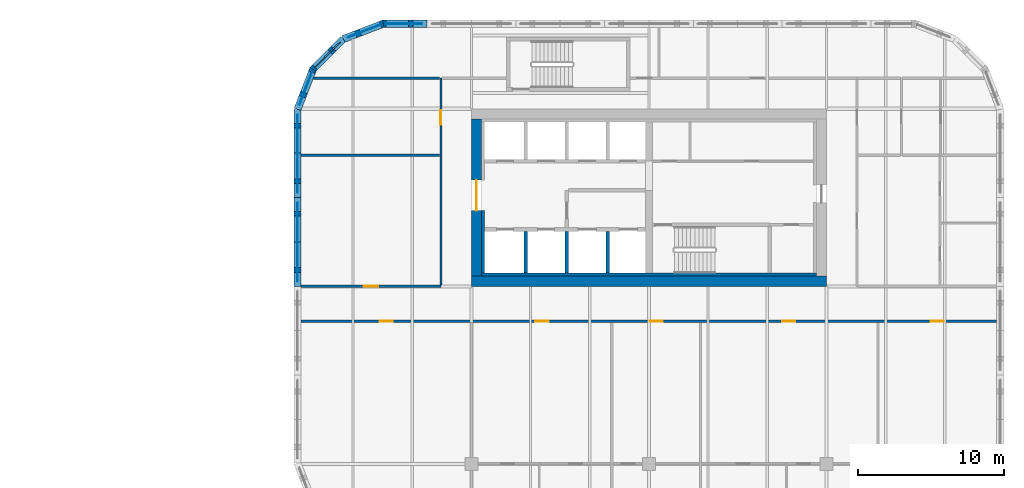
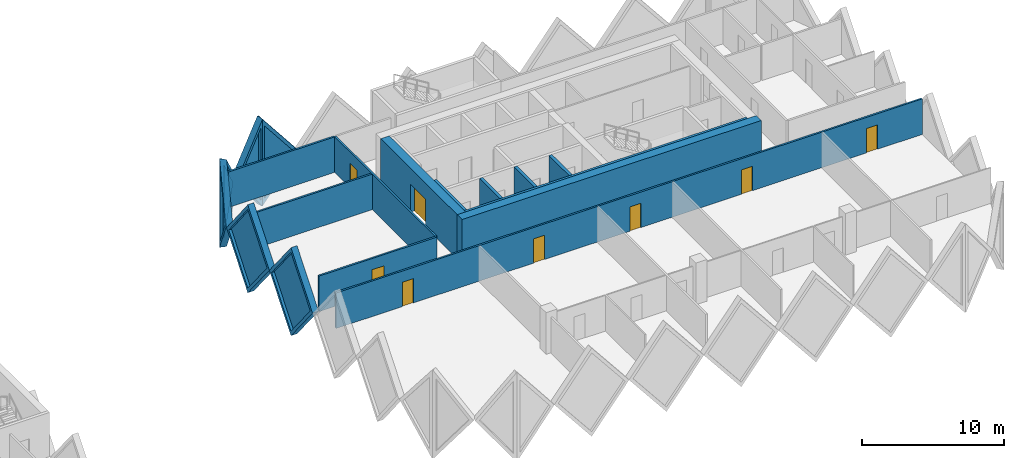
# One storey, part 12 of 18: 18 walls, 8 doors, 6 plates, 14 openings.
"""IFC4 building model written with IfcOpenShell, lengths in metres."""

from ifc_helpers import new_model, si_unit, direction, frame, frame_2d, origin, place, context, subcontext, project, spatial, polyline, rectangle, outline, extrude, faceted_brep, source, transform, mapped, material, layer, layer_set, type_object, element, fill, save


model = new_model("IFC4")

# Units and contexts
model_context = context("Model", 3, precision=1e-05, world=origin(), true_north=direction((0.0, 1.0)))
body_context = subcontext(model_context, "Body", "Model", "MODEL_VIEW")
ifc_project = project(units=[si_unit("LENGTHUNIT", "METRE"), si_unit("AREAUNIT", "SQUARE_METRE"), si_unit("VOLUMEUNIT", "CUBIC_METRE"), si_unit("PLANEANGLEUNIT", "RADIAN"), si_unit("MASSUNIT", "GRAM", prefix="KILO")], contexts=[model_context])

# Site, building, storey
site_placement = place(None, origin())
site = spatial("IfcSite", under=ifc_project, at=site_placement, CompositionType="ELEMENT")
building_placement = place(site_placement, origin())
building = spatial("IfcBuilding", under=site, at=building_placement, Name="Tessera Gate Towers", CompositionType="ELEMENT")
storey_placement = place(building_placement, frame((0.0, 0.0, 56.199951171875)))
storey = spatial("IfcBuildingStorey", under=building, at=storey_placement, Name="L13", CompositionType="ELEMENT", Elevation=56.199951171875)

# Walls
ifc_material_1 = material(Name="Concrete C40/50", Category="concrete")
ifc_layer_1 = layer(ifc_material_1, 0.25)
ifc_layer_set_1 = layer_set([ifc_layer_1], Name="CORE ENCLOSURE WALL 250")
wall_type_1 = type_object("IfcWallType", Name="CORE ENCLOSURE WALL 250", PredefinedType="SOLIDWALL", material=ifc_layer_set_1)
for number, where, z_axis, x_axis, name in (
    (1, (104.14990234375, 37.5, 0.0), (0.0, 0.0, 1.0), (0.0, 1.0, 0.0), "L13 shaft and stair enclosure wall"),
    (2, (101.324951171875, 37.5, 0.0), (0.0, 0.0, 1.0), (0.0, 1.0, 0.0), "L13 shaft and stair enclosure wall"),
    (3, (106.97509765625, 37.5, 0.0), (0.0, 0.0, 1.0), (0.0, 1.0, 0.0), "L13 shaft and stair enclosure wall"),
):
    element("IfcWall", number, at=place(storey_placement, frame(where, z_axis=z_axis, x_axis=x_axis)), inside=storey, type_object=wall_type_1, Name=name, PredefinedType="SOLIDWALL", context=body_context, shape_type="SweptSolid", body=[
        extrude(rectangle(XDim=2.875, YDim=0.25, at=frame_2d((1.4375, 0.0))), origin(), (0.0, 0.0, 1.0), 3.800048828125),
    ])
ifc_material_2 = material(Name="Concrete C60/75", Category="concrete")
ifc_layer_2 = layer(ifc_material_2, 0.699951171875)
ifc_layer_set_2 = layer_set([ifc_layer_2], Name="CORE SHEAR WALL 700 C60/75")
wall_type_2 = type_object("IfcWallType", Name="CORE SHEAR WALL 700 C60/75", PredefinedType="SHEAR", material=ifc_layer_set_2)
wall_1_placement = place(storey_placement, frame((122.0, 36.949951171875, 0.0), z_axis=(0.0, 0.0, 1.0), x_axis=(-1.0, 0.0, 0.0)))
element("IfcWall", 4, at=wall_1_placement, inside=storey, type_object=wall_type_2, Name="Core wall S L13", PredefinedType="SHEAR", context=body_context, shape_type="SweptSolid", body=[
    extrude(rectangle(XDim=24.39990234375, YDim=0.699951171875, at=frame_2d((12.199951171875, 0.0))), origin(), (0.0, 0.0, 1.0), 3.800048828125),
])

# Wall, opening, door
wall_2_placement = place(storey_placement, frame((97.949951171875, 37.300048828125, 0.0), z_axis=(0.0, 0.0, 1.0), x_axis=(0.0, 1.0, 0.0)))
wall_2 = element("IfcWall", 5, at=wall_2_placement, inside=storey, type_object=wall_type_2, Name="Core wall W L13", PredefinedType="SHEAR", context=body_context, shape_type="SweptSolid", body=[
    extrude(rectangle(XDim=10.800048828125, YDim=0.699951171875, at=frame_2d((5.39990234375, 0.0))), origin(), (0.0, 0.0, 1.0), 3.800048828125),
])
shared_shape_1 = source(origin(), body_context, "Body", "SweptSolid", [
    extrude(rectangle(XDim=2.10009765625, YDim=2.39990234375, at=frame_2d((1.050048828125, 1.199951171875))), frame((0.0, 0.35986328125, 0.0), z_axis=(0.0, -1.0, 0.0), x_axis=(1.0, 0.0, 0.0)), (0.0, 0.0, 1.0), 0.719970703125),
])
opening_1_placement = place(wall_2_placement, frame((4.5, 0.0, 0.0)))
opening_1 = element("IfcOpeningElement", 6, at=opening_1_placement, cuts=wall_2, Name="Opening DD-T2-03-01", PredefinedType="OPENING", context=body_context, shape_type="MappedRepresentation", body=[
    mapped(shared_shape_1, transform((0.0, 0.0, 0.0), scale=1.0)),
])
ifc_material_3 = material(Name="Hollow steel fire door", Category="steel")
door_type_1 = type_object("IfcDoorType", Name="CORE DOOR DD 2100x2400", OperationType="NOTDEFINED", PredefinedType="DOOR", material=ifc_material_3)
shared_shape_2 = source(origin(), body_context, "Body", "SweptSolid", [
    extrude(rectangle(XDim=2.10009765625, YDim=2.39990234375, at=frame_2d((1.050048828125, 1.199951171875))), frame((0.0, 0.02490234375, 0.0), z_axis=(0.0, -1.0, 0.0), x_axis=(1.0, 0.0, 0.0)), (0.0, 0.0, 1.0), 0.050048828125),
])
door_1_placement = place(opening_1_placement, origin())
door_1 = element("IfcDoor", 7, at=door_1_placement, inside=storey, type_object=door_type_1, Name="Core entrance door", OperationType="DOUBLE_DOOR_SINGLE_SWING", OverallHeight=2.39990234375, OverallWidth=2.10009765625, PredefinedType="DOOR", context=body_context, shape_type="MappedRepresentation", body=[
    mapped(shared_shape_2, transform((0.0, 0.0, 0.0), scale=1.0)),
])
fill(opening_1, door_1)

# Walls
ifc_material_4 = material(Name="Concrete C60/75", Category="concrete")
ifc_layer_3 = layer(ifc_material_4, 0.199951171875)
ifc_layer_set_3 = layer_set([ifc_layer_3], Name="CORE WALL THICKENING 200")
wall_type_3 = type_object("IfcWallType", Name="CORE WALL THICKENING 200", PredefinedType="SOLIDWALL", material=ifc_layer_set_3)
wall_3_placement = place(storey_placement, frame((98.300048828125, 37.39990234375, 0.0), z_axis=(0.0, 0.0, 1.0), x_axis=(1.0, 0.0, 0.0)))
element("IfcWall", 8, at=wall_3_placement, inside=storey, type_object=wall_type_3, Name="Core wall thickening S L13", PredefinedType="SOLIDWALL", context=body_context, shape_type="SweptSolid", body=[
    extrude(rectangle(XDim=23.0, YDim=0.199951171875, at=frame_2d((11.5, 0.0))), origin(), (0.0, 0.0, 1.0), 3.800048828125),
])
wall_4_placement = place(storey_placement, frame((98.39990234375, 37.5, 0.0), z_axis=(0.0, 0.0, 1.0), x_axis=(0.0, 1.0, 0.0)))
element("IfcWall", 9, at=wall_4_placement, inside=storey, type_object=wall_type_3, Name="Core wall thickening W L13", PredefinedType="SOLIDWALL", context=body_context, shape_type="SweptSolid", body=[
    extrude(rectangle(XDim=4.300048828125, YDim=0.199951171875, at=frame_2d((2.14990234375, 0.0))), origin(), (0.0, 0.0, 1.0), 3.800048828125),
])

# Wall, openings, doors
ifc_material_5 = material(Name="Gypsum board on steel studs, mineral wool", Category="steel")
ifc_layer_4 = layer(ifc_material_5, 0.14990234375)
ifc_layer_set_4 = layer_set([ifc_layer_4], Name="CORRIDOR WALL 150")
wall_type_4 = type_object("IfcWallType", Name="CORRIDOR WALL 150", PredefinedType="PARTITIONING", material=ifc_layer_set_4)
wall_5_placement = place(storey_placement, frame((133.699951171875, 34.199951171875, 0.0), z_axis=(0.0, 0.0, 1.0), x_axis=(-1.0, 0.0, 0.0)))
wall_5 = element("IfcWall", 10, at=wall_5_placement, inside=storey, type_object=wall_type_4, Name="T2-L13-PW-017", PredefinedType="PARTITIONING", context=body_context, shape_type="SweptSolid", body=[
    extrude(rectangle(XDim=47.800048828125, YDim=0.14990234375, at=frame_2d((23.89990234375, 0.0))), origin(), (0.0, 0.0, 1.0), 3.067138671875),
])
shared_shape_3 = source(origin(), body_context, "Body", "SweptSolid", [
    extrude(rectangle(XDim=0.89990234375, YDim=2.10009765625, at=frame_2d((0.449951171875, 1.050048828125))), frame((0.0, 0.0849609375, 0.0), z_axis=(0.0, -1.0, 0.0), x_axis=(1.0, 0.0, 0.0)), (0.0, 0.0, 1.0), 0.169921875),
])
opening_2_placement = place(wall_5_placement, frame((22.948974609375, 0.0, 0.0)))
opening_2 = element("IfcOpeningElement", 11, at=opening_2_placement, cuts=wall_5, Name="Opening D890FD60-B06-01", PredefinedType="OPENING", context=body_context, shape_type="MappedRepresentation", body=[
    mapped(shared_shape_3, transform((0.0, 0.0, 0.0), scale=1.0)),
])
opening_3_placement = place(wall_5_placement, frame((3.64892578125, 0.0, 0.0)))
opening_3 = element("IfcOpeningElement", 12, at=opening_3_placement, cuts=wall_5, Name="Opening D890FD60-B06-02", PredefinedType="OPENING", context=body_context, shape_type="MappedRepresentation", body=[
    mapped(shared_shape_3, transform((0.0, 0.0, 0.0), scale=1.0)),
])
opening_4_placement = place(wall_5_placement, frame((30.799072265625, 0.0, 0.0)))
opening_4 = element("IfcOpeningElement", 13, at=opening_4_placement, cuts=wall_5, Name="Opening D890FD60-B06-03", PredefinedType="OPENING", context=body_context, shape_type="MappedRepresentation", body=[
    mapped(shared_shape_3, transform((0.0, 0.0, 0.0), scale=1.0)),
])
opening_5_placement = place(wall_5_placement, frame((41.5, 0.0, 0.0)))
opening_5 = element("IfcOpeningElement", 14, at=opening_5_placement, cuts=wall_5, Name="Opening D890FD60-B06-04", PredefinedType="OPENING", context=body_context, shape_type="MappedRepresentation", body=[
    mapped(shared_shape_3, transform((0.0, 0.0, 0.0), scale=1.0)),
])
opening_6_placement = place(wall_5_placement, frame((13.85009765625, 0.0, 0.0)))
opening_6 = element("IfcOpeningElement", 15, at=opening_6_placement, cuts=wall_5, Name="Opening D890FD60-B06-05", PredefinedType="OPENING", context=body_context, shape_type="MappedRepresentation", body=[
    mapped(shared_shape_3, transform((0.0, 0.0, 0.0), scale=1.0)),
])
ifc_material_6 = material(Name="Timber door leaf in steel frame", Category="steel")
door_type_2 = type_object("IfcDoorType", Name="CORRIDOR DOOR 900 FD60", OperationType="NOTDEFINED", PredefinedType="DOOR", material=ifc_material_6)
shared_shape_4 = source(origin(), body_context, "Body", "SweptSolid", [
    extrude(rectangle(XDim=0.89990234375, YDim=2.10009765625, at=frame_2d((0.449951171875, 1.050048828125))), frame((0.0, 0.02490234375, 0.0), z_axis=(0.0, -1.0, 0.0), x_axis=(1.0, 0.0, 0.0)), (0.0, 0.0, 1.0), 0.050048828125),
])
door_2_placement = place(opening_2_placement, origin())
door_2 = element("IfcDoor", 16, at=door_2_placement, inside=storey, type_object=door_type_2, Name="T2-L13-PD-012", OperationType="SINGLE_SWING_RIGHT", OverallHeight=2.10009765625, OverallWidth=0.89990234375, PredefinedType="DOOR", context=body_context, shape_type="MappedRepresentation", body=[
    mapped(shared_shape_4, transform((0.0, 0.0, 0.0), scale=1.0)),
])
fill(opening_2, door_2)
door_3_placement = place(opening_3_placement, origin())
door_3 = element("IfcDoor", 17, at=door_3_placement, inside=storey, type_object=door_type_2, Name="T2-L13-PD-015", OperationType="SINGLE_SWING_RIGHT", OverallHeight=2.10009765625, OverallWidth=0.89990234375, PredefinedType="DOOR", context=body_context, shape_type="MappedRepresentation", body=[
    mapped(shared_shape_4, transform((0.0, 0.0, 0.0), scale=1.0)),
])
fill(opening_3, door_3)
door_4_placement = place(opening_4_placement, origin())
door_4 = element("IfcDoor", 18, at=door_4_placement, inside=storey, type_object=door_type_2, Name="T2-L13-PD-016", OperationType="SINGLE_SWING_RIGHT", OverallHeight=2.10009765625, OverallWidth=0.89990234375, PredefinedType="DOOR", context=body_context, shape_type="MappedRepresentation", body=[
    mapped(shared_shape_4, transform((0.0, 0.0, 0.0), scale=1.0)),
])
fill(opening_4, door_4)
door_5_placement = place(opening_5_placement, origin())
door_5 = element("IfcDoor", 19, at=door_5_placement, inside=storey, type_object=door_type_2, Name="T2-L13-PD-017", OperationType="SINGLE_SWING_RIGHT", OverallHeight=2.10009765625, OverallWidth=0.89990234375, PredefinedType="DOOR", context=body_context, shape_type="MappedRepresentation", body=[
    mapped(shared_shape_4, transform((0.0, 0.0, 0.0), scale=1.0)),
])
fill(opening_5, door_5)
door_6_placement = place(opening_6_placement, origin())
door_6 = element("IfcDoor", 20, at=door_6_placement, inside=storey, type_object=door_type_2, Name="T2-L13-PD-018", OperationType="SINGLE_SWING_RIGHT", OverallHeight=2.10009765625, OverallWidth=0.89990234375, PredefinedType="DOOR", context=body_context, shape_type="MappedRepresentation", body=[
    mapped(shared_shape_4, transform((0.0, 0.0, 0.0), scale=1.0)),
])
fill(opening_6, door_6)

# Wall, opening, door
wall_6_placement = place(storey_placement, frame((85.89990234375, 36.60009765625, 0.0), z_axis=(0.0, 0.0, 1.0), x_axis=(1.0, 0.0, 0.0)))
wall_6 = element("IfcWall", 21, at=wall_6_placement, inside=storey, type_object=wall_type_4, Name="T2-L13-PW-018", PredefinedType="PARTITIONING", context=body_context, shape_type="SweptSolid", body=[
    extrude(rectangle(XDim=9.60009765625, YDim=0.14990234375, at=frame_2d((4.800048828125, 0.0))), origin(), (0.0, 0.0, 1.0), 3.067138671875),
])
shared_shape_5 = source(origin(), body_context, "Body", "SweptSolid", [
    extrude(rectangle(XDim=1.0, YDim=2.10009765625, at=frame_2d((0.5, 1.050048828125))), frame((0.0, 0.0849609375, 0.0), z_axis=(0.0, -1.0, 0.0), x_axis=(1.0, 0.0, 0.0)), (0.0, 0.0, 1.0), 0.169921875),
])
opening_7_placement = place(wall_6_placement, frame((4.300048828125, 0.0, 0.0)))
opening_7 = element("IfcOpeningElement", 22, at=opening_7_placement, cuts=wall_6, Name="Opening D2100FD60-B06-05", PredefinedType="OPENING", context=body_context, shape_type="MappedRepresentation", body=[
    mapped(shared_shape_5, transform((0.0, 0.0, 0.0), scale=1.0)),
])
ifc_material_7 = material(Name="Timber door leaf in steel frame", Category="steel")
door_type_3 = type_object("IfcDoorType", Name="TENANCY ENTRANCE DOOR 1000 FD60", OperationType="NOTDEFINED", PredefinedType="DOOR", material=ifc_material_7)
shared_shape_6 = source(origin(), body_context, "Body", "SweptSolid", [
    extrude(rectangle(XDim=1.0, YDim=2.10009765625, at=frame_2d((0.5, 1.050048828125))), frame((0.0, 0.02490234375, 0.0), z_axis=(0.0, -1.0, 0.0), x_axis=(1.0, 0.0, 0.0)), (0.0, 0.0, 1.0), 0.050048828125),
])
door_7_placement = place(opening_7_placement, origin())
door_7 = element("IfcDoor", 23, at=door_7_placement, inside=storey, type_object=door_type_3, Name="T2-L13-PD-021", OperationType="SINGLE_SWING_LEFT", OverallHeight=2.10009765625, OverallWidth=1.0, PredefinedType="DOOR", context=body_context, shape_type="MappedRepresentation", body=[
    mapped(shared_shape_6, transform((0.0, 0.0, 0.0), scale=1.0)),
])
fill(opening_7, door_7)

wall_7_placement = place(storey_placement, frame((95.5, 36.676025390625, 0.0), z_axis=(0.0, 0.0, 1.0), x_axis=(0.0, 1.0, 0.0)))
wall_7 = element("IfcWall", 24, at=wall_7_placement, inside=storey, type_object=wall_type_4, Name="T2-L13-PW-021", PredefinedType="PARTITIONING", context=body_context, shape_type="SweptSolid", body=[
    extrude(rectangle(XDim=14.223876953125, YDim=0.14990234375, at=frame_2d((7.11181640625, 0.0))), origin(), (0.0, 0.0, 1.0), 3.067138671875),
])
opening_8_placement = place(wall_7_placement, frame((11.02490234375, 0.0, 0.0)))
opening_8 = element("IfcOpeningElement", 25, at=opening_8_placement, cuts=wall_7, Name="Opening D2100FD60-B06-02", PredefinedType="OPENING", context=body_context, shape_type="MappedRepresentation", body=[
    mapped(shared_shape_5, transform((0.0, 0.0, 0.0), scale=1.0)),
])
door_8_placement = place(opening_8_placement, origin())
door_8 = element("IfcDoor", 26, at=door_8_placement, inside=storey, type_object=door_type_3, Name="T2-L13-PD-009", OperationType="SINGLE_SWING_LEFT", OverallHeight=2.10009765625, OverallWidth=1.0, PredefinedType="DOOR", context=body_context, shape_type="MappedRepresentation", body=[
    mapped(shared_shape_6, transform((0.0, 0.0, 0.0), scale=1.0)),
])
fill(opening_8, door_8)

# Walls
ifc_material_8 = material(Name="Gypsum board on steel studs, mineral wool", Category="steel")
ifc_layer_5 = layer(ifc_material_8, 0.14990234375)
ifc_layer_set_5 = layer_set([ifc_layer_5], Name="TENANCY WALL 150")
wall_type_5 = type_object("IfcWallType", Name="TENANCY WALL 150", PredefinedType="PARTITIONING", material=ifc_layer_set_5)
wall_8_placement = place(storey_placement, frame((85.89990234375, 45.60009765625, 0.0), z_axis=(0.0, 0.0, 1.0), x_axis=(1.0, 0.0, 0.0)))
element("IfcWall", 27, at=wall_8_placement, inside=storey, type_object=wall_type_5, Name="T2-L13-PW-024", PredefinedType="PARTITIONING", context=body_context, shape_type="SweptSolid", body=[
    extrude(rectangle(XDim=9.524169921875, YDim=0.14990234375, at=frame_2d((4.76220703125, 0.0))), origin(), (0.0, 0.0, 1.0), 3.067138671875),
])
wall_9_placement = place(storey_placement, frame((86.74609375, 50.89990234375, 0.0), z_axis=(0.0, 0.0, 1.0), x_axis=(1.0, 0.0, 0.0)))
element("IfcWall", 28, at=wall_9_placement, inside=storey, type_object=wall_type_5, Name="T2-L13-PW-030", PredefinedType="PARTITIONING", context=body_context, shape_type="SweptSolid", body=[
    extrude(rectangle(XDim=8.677978515625, YDim=0.14990234375, at=frame_2d((4.3388671875, 0.0))), origin(), (0.0, 0.0, 1.0), 3.067138671875),
])

# Wall, opening, plate
ifc_material_9 = material(Name="Precast concrete C60/75 white", Category="concrete")
ifc_layer_6 = layer(ifc_material_9, 0.5)
ifc_layer_set_6 = layer_set([ifc_layer_6], Name="TS1 tessera")
wall_type_6 = type_object("IfcWallType", Name="TS1 tessera", PredefinedType="SOLIDWALL", material=ifc_layer_set_6)
shared_shape_7 = source(origin(), body_context, "Body", "Brep", [
    faceted_brep([(3.00341796875, -0.25, 0.0), (6.053466796875, -0.25, 3.800048828125), (3.00341796875, -0.25, 7.60009765625), (0.0, -0.25, 3.800048828125), (0.046630859375, 0.25, 3.85888671875), (3.00341796875, 0.25, 7.60009765625), (6.053466796875, 0.25, 3.800048828125), (3.00341796875, 0.25, 0.0), (0.046630859375, 0.25, 3.7412109375), (0.0, 0.0, 3.800048828125)], [[[0, 1, 2, 3]], [[4, 5, 6, 7, 8]], [[7, 6, 1, 0]], [[6, 5, 2, 1]], [[5, 4, 9, 3, 2]], [[8, 7, 0, 3, 9]], [[8, 9, 4]]]),
])
wall_10_placement = place(storey_placement, frame((85.64990234375, 48.75341796875, -3.800048828125), z_axis=(0.0, 0.0, 1.0), x_axis=(0.0, -1.0, 0.0)))
wall_10 = element("IfcWall", 29, at=wall_10_placement, inside=storey, type_object=wall_type_6, Name="Precast tessera T2 TS1-0158", PredefinedType="SOLIDWALL", context=body_context, shape_type="MappedRepresentation", body=[
    mapped(shared_shape_7, transform((0.0, 0.0, 0.0), scale=1.0)),
])
shared_shape_8 = source(origin(), body_context, "Body", "SweptSolid", [
    extrude(outline(polyline([(3.0048828125, 0.4013671875), (5.73291015625, 3.800048828125), (3.0048828125, 7.19873046875), (0.318603515625, 3.800048828125), (3.0048828125, 0.4013671875)])), frame((0.0, 0.260009765625, 0.0), z_axis=(0.0, -1.0, 0.0), x_axis=(1.0, 0.0, 0.0)), (0.0, 0.0, 1.0), 0.52001953125),
])
opening_9_placement = place(wall_10_placement, origin())
opening_9 = element("IfcOpeningElement", 30, at=opening_9_placement, cuts=wall_10, Name="Opening T2-PL2-0300", PredefinedType="OPENING", context=body_context, shape_type="MappedRepresentation", body=[
    mapped(shared_shape_8, transform((0.0, 0.0, 0.0), scale=1.0)),
])
ifc_material_10 = material(Name="Low-e laminated glass", Category="glass")
ifc_layer_7 = layer(ifc_material_10, 0.06005859375)
ifc_layer_set_7 = layer_set([ifc_layer_7], Name="PL2 rhombic pane")
plate_type = type_object("IfcPlateType", Name="PL2 rhombic pane", PredefinedType="SHEET", material=ifc_layer_set_7)
shared_shape_9 = source(origin(), body_context, "Body", "SweptSolid", [
    extrude(outline(polyline([(3.0048828125, 0.4013671875), (5.73291015625, 3.800048828125), (3.0048828125, 7.19873046875), (0.318603515625, 3.800048828125), (3.0048828125, 0.4013671875)])), frame((0.0, 0.030029296875, 0.0), z_axis=(0.0, -1.0, 0.0), x_axis=(1.0, 0.0, 0.0)), (0.0, 0.0, 1.0), 0.06005859375),
])
plate_1_placement = place(opening_9_placement, origin())
plate_1 = element("IfcPlate", 31, at=plate_1_placement, inside=storey, type_object=plate_type, Name="Glass pane T2 PL2-0300", PredefinedType="SHEET", context=body_context, shape_type="MappedRepresentation", body=[
    mapped(shared_shape_9, transform((0.0, 0.0, 0.0), scale=1.0)),
])
fill(opening_9, plate_1)

shared_shape_10 = source(origin(), body_context, "Body", "Brep", [
    faceted_brep([(3.050048828125, -0.25, 0.0), (6.099853515625, -0.25, 3.7998046875), (6.099853515625, -0.25, 3.80029296875), (3.050048828125, -0.25, 7.60009765625), (0.0, -0.25, 3.800048828125), (0.0, 0.25, 3.800048828125), (3.050048828125, 0.25, 7.60009765625), (6.099853515625, 0.25, 3.80029296875), (6.099853515625, 0.25, 3.7998046875), (3.050048828125, 0.25, 0.0)], [[[0, 1, 2, 3, 4]], [[5, 6, 7, 8, 9]], [[9, 8, 1, 0]], [[7, 6, 3, 2]], [[6, 5, 4, 3]], [[5, 9, 0, 4]], [[1, 8, 7, 2]]]),
])
wall_11_placement = place(storey_placement, frame((85.64990234375, 42.699951171875, -3.800048828125), z_axis=(0.0, 0.0, 1.0), x_axis=(0.0, -1.0, 0.0)))
wall_11 = element("IfcWall", 32, at=wall_11_placement, inside=storey, type_object=wall_type_6, Name="Precast tessera T2 TS1-0159", PredefinedType="SOLIDWALL", context=body_context, shape_type="MappedRepresentation", body=[
    mapped(shared_shape_10, transform((0.0, 0.0, 0.0), scale=1.0)),
])
shared_shape_11 = source(origin(), body_context, "Body", "SweptSolid", [
    extrude(outline(polyline([(3.050048828125, 0.3994140625), (5.779541015625, 3.800048828125), (3.050048828125, 7.20068359375), (0.320556640625, 3.800048828125), (3.050048828125, 0.3994140625)])), frame((0.0, 0.260009765625, 0.0), z_axis=(0.0, -1.0, 0.0), x_axis=(1.0, 0.0, 0.0)), (0.0, 0.0, 1.0), 0.52001953125),
])
opening_10_placement = place(wall_11_placement, origin())
opening_10 = element("IfcOpeningElement", 33, at=opening_10_placement, cuts=wall_11, Name="Opening T2-PL2-0301", PredefinedType="OPENING", context=body_context, shape_type="MappedRepresentation", body=[
    mapped(shared_shape_11, transform((0.0, 0.0, 0.0), scale=1.0)),
])
shared_shape_12 = source(origin(), body_context, "Body", "SweptSolid", [
    extrude(outline(polyline([(3.050048828125, 0.3994140625), (5.779541015625, 3.800048828125), (3.050048828125, 7.20068359375), (0.320556640625, 3.800048828125), (3.050048828125, 0.3994140625)])), frame((0.0, 0.030029296875, 0.0), z_axis=(0.0, -1.0, 0.0), x_axis=(1.0, 0.0, 0.0)), (0.0, 0.0, 1.0), 0.06005859375),
])
plate_2_placement = place(opening_10_placement, origin())
plate_2 = element("IfcPlate", 34, at=plate_2_placement, inside=storey, type_object=plate_type, Name="Glass pane T2 PL2-0301", PredefinedType="SHEET", context=body_context, shape_type="MappedRepresentation", body=[
    mapped(shared_shape_12, transform((0.0, 0.0, 0.0), scale=1.0)),
])
fill(opening_10, plate_2)

ifc_material_11 = material(Name="Precast concrete C60/75 white", Category="concrete")
ifc_layer_8 = layer(ifc_material_11, 0.5)
ifc_layer_set_8 = layer_set([ifc_layer_8], Name="TS3 corner tessera")
wall_type_7 = type_object("IfcWallType", Name="TS3 corner tessera", PredefinedType="SOLIDWALL", material=ifc_layer_set_8)
shared_shape_13 = source(origin(), body_context, "Body", "Brep", [
    faceted_brep([(3.00341796875, -0.25, 0.0), (3.050048828125, -0.25, 0.06005859375), (3.050048828125, -0.25, 7.5400390625), (3.00341796875, -0.25, 7.60009765625), (0.0, -0.25, 3.800048828125), (0.0, 0.25, 3.800048828125), (2.956787109375, 0.25, 7.541259765625), (2.956787109375, 0.25, 0.058837890625), (3.00341796875, 0.000244140625, 0.0), (3.00341796875, 0.000244140625, 7.60009765625)], [[[0, 1, 2, 3, 4]], [[5, 6, 7]], [[1, 0, 8]], [[9, 3, 2]], [[6, 5, 4, 3, 9]], [[5, 7, 8, 0, 4]], [[1, 8, 7, 6, 9, 2]]]),
])
wall_12_placement = place(storey_placement, frame((94.550048828125, 54.64990234375, -3.800048828125), z_axis=(0.0, 0.0, 1.0), x_axis=(-1.0, 0.0, 0.0)))
wall_12 = element("IfcWall", 35, at=wall_12_placement, inside=storey, type_object=wall_type_7, Name="Precast corner tessera T2 TS3-0187", PredefinedType="SOLIDWALL", context=body_context, shape_type="MappedRepresentation", body=[
    mapped(shared_shape_13, transform((0.0, 0.0, 0.0), scale=1.0)),
])
shared_shape_14 = source(origin(), body_context, "Body", "SweptSolid", [
    extrude(outline(polyline([(2.803466796875, 6.94384765625), (0.318603515625, 3.800048828125), (2.803466796875, 0.65625), (2.803466796875, 6.94384765625)])), frame((0.0, 0.260009765625, 0.0), z_axis=(0.0, -1.0, 0.0), x_axis=(1.0, 0.0, 0.0)), (0.0, 0.0, 1.0), 0.52001953125),
])
opening_11_placement = place(wall_12_placement, origin())
opening_11 = element("IfcOpeningElement", 36, at=opening_11_placement, cuts=wall_12, Name="Opening T2-PL2-0296", PredefinedType="OPENING", context=body_context, shape_type="MappedRepresentation", body=[
    mapped(shared_shape_14, transform((0.0, 0.0, 0.0), scale=1.0)),
])
shared_shape_15 = source(origin(), body_context, "Body", "SweptSolid", [
    extrude(outline(polyline([(2.803466796875, 6.94384765625), (0.318603515625, 3.800048828125), (2.803466796875, 0.65625), (2.803466796875, 6.94384765625)])), frame((0.0, 0.030029296875, 0.0), z_axis=(0.0, -1.0, 0.0), x_axis=(1.0, 0.0, 0.0)), (0.0, 0.0, 1.0), 0.06005859375),
])
plate_3_placement = place(opening_11_placement, origin())
plate_3 = element("IfcPlate", 37, at=plate_3_placement, inside=storey, type_object=plate_type, Name="Glass pane T2 PL2-0296", PredefinedType="SHEET", context=body_context, shape_type="MappedRepresentation", body=[
    mapped(shared_shape_15, transform((0.0, 0.0, 0.0), scale=1.0)),
])
fill(opening_11, plate_3)

shared_shape_16 = source(origin(), body_context, "Body", "Brep", [
    faceted_brep([(0.052978515625, -0.25, 0.0), (3.00341796875, -0.25, 3.800048828125), (0.052978515625, -0.25, 7.60009765625), (0.0, -0.25, 7.53173828125), (0.0, -0.25, 0.068359375), (0.10595703125, 0.25, 7.531982421875), (2.95703125, 0.25, 3.85986328125), (2.95703125, 0.25, 3.740234375), (0.10595703125, 0.25, 0.068115234375), (3.00341796875, 0.00048828125, 3.800048828125), (0.052978515625, 0.0, 0.0), (0.052978515625, 0.0, 7.60009765625)], [[[0, 1, 2, 3, 4]], [[5, 6, 7, 8]], [[8, 7, 9, 1, 0, 10]], [[6, 5, 11, 2, 1, 9]], [[3, 2, 11]], [[10, 0, 4]], [[8, 10, 4, 3, 11, 5]], [[9, 7, 6]]]),
])
wall_13_placement = place(storey_placement, frame((86.73095703125, 51.5556640625, -3.800048828125), z_axis=(0.0, 0.0, 1.0), x_axis=(-0.359855894603, -0.933007896601, 0.0)))
wall_13 = element("IfcWall", 38, at=wall_13_placement, inside=storey, type_object=wall_type_7, Name="Precast corner tessera T2 TS3-0190", PredefinedType="SOLIDWALL", context=body_context, shape_type="MappedRepresentation", body=[
    mapped(shared_shape_16, transform((0.0, 0.0, 0.0), scale=1.0)),
])
shared_shape_17 = source(origin(), body_context, "Body", "SweptSolid", [
    extrude(outline(polyline([(0.2529296875, 0.665283203125), (2.68701171875, 3.800048828125), (0.2529296875, 6.934814453125), (0.2529296875, 0.665283203125)])), frame((0.0, 0.260009765625, 0.0), z_axis=(0.0, -1.0, 0.0), x_axis=(1.0, 0.0, 0.0)), (0.0, 0.0, 1.0), 0.52001953125),
])
opening_12_placement = place(wall_13_placement, origin())
opening_12 = element("IfcOpeningElement", 39, at=opening_12_placement, cuts=wall_13, Name="Opening T2-PL2-0299", PredefinedType="OPENING", context=body_context, shape_type="MappedRepresentation", body=[
    mapped(shared_shape_17, transform((0.0, 0.0, 0.0), scale=1.0)),
])
shared_shape_18 = source(origin(), body_context, "Body", "SweptSolid", [
    extrude(outline(polyline([(0.2529296875, 0.665283203125), (2.68701171875, 3.800048828125), (0.2529296875, 6.934814453125), (0.2529296875, 0.665283203125)])), frame((0.0, 0.030029296875, 0.0), z_axis=(0.0, -1.0, 0.0), x_axis=(1.0, 0.0, 0.0)), (0.0, 0.0, 1.0), 0.06005859375),
])
plate_4_placement = place(opening_12_placement, origin())
plate_4 = element("IfcPlate", 40, at=plate_4_placement, inside=storey, type_object=plate_type, Name="Glass pane T2 PL2-0299", PredefinedType="SHEET", context=body_context, shape_type="MappedRepresentation", body=[
    mapped(shared_shape_18, transform((0.0, 0.0, 0.0), scale=1.0)),
])
fill(opening_12, plate_4)

shared_shape_19 = source(origin(), body_context, "Body", "Brep", [
    faceted_brep([(2.944091796875, -0.25, 0.0), (2.9970703125, -0.25, 0.068115234375), (2.9970703125, -0.25, 7.531982421875), (2.944091796875, -0.25, 7.60009765625), (0.0, -0.25, 3.800048828125), (0.052978515625, 0.25, 3.868408203125), (2.89111328125, 0.25, 7.531982421875), (2.89111328125, 0.25, 0.068115234375), (0.052978515625, 0.25, 3.731689453125), (2.944091796875, 0.000244140625, 0.0), (2.944091796875, 0.000244140625, 7.60009765625), (0.0, 0.0, 3.800048828125)], [[[0, 1, 2, 3, 4]], [[5, 6, 7, 8]], [[1, 0, 9]], [[10, 3, 2]], [[6, 5, 11, 4, 3, 10]], [[8, 7, 9, 0, 4, 11]], [[8, 11, 5]], [[1, 9, 7, 6, 10, 2]]]),
])
wall_14_placement = place(storey_placement, frame((88.793701171875, 53.588134765625, -3.800048828125), z_axis=(0.0, 0.0, 1.0), x_axis=(-0.707066050402, -0.707147509625, 0.0)))
wall_14 = element("IfcWall", 41, at=wall_14_placement, inside=storey, type_object=wall_type_7, Name="Precast corner tessera T2 TS3-0189", PredefinedType="SOLIDWALL", context=body_context, shape_type="MappedRepresentation", body=[
    mapped(shared_shape_19, transform((0.0, 0.0, 0.0), scale=1.0)),
])
shared_shape_20 = source(origin(), body_context, "Body", "SweptSolid", [
    extrude(outline(polyline([(2.744140625, 6.933837890625), (0.316162109375, 3.800048828125), (2.744140625, 0.66650390625), (2.744140625, 6.933837890625)])), frame((0.0, 0.260009765625, 0.0), z_axis=(0.0, -1.0, 0.0), x_axis=(1.0, 0.0, 0.0)), (0.0, 0.0, 1.0), 0.52001953125),
])
opening_13_placement = place(wall_14_placement, origin())
opening_13 = element("IfcOpeningElement", 42, at=opening_13_placement, cuts=wall_14, Name="Opening T2-PL2-0298", PredefinedType="OPENING", context=body_context, shape_type="MappedRepresentation", body=[
    mapped(shared_shape_20, transform((0.0, 0.0, 0.0), scale=1.0)),
])
shared_shape_21 = source(origin(), body_context, "Body", "SweptSolid", [
    extrude(outline(polyline([(2.744140625, 6.933837890625), (0.316162109375, 3.800048828125), (2.744140625, 0.66650390625), (2.744140625, 6.933837890625)])), frame((0.0, 0.030029296875, 0.0), z_axis=(0.0, -1.0, 0.0), x_axis=(1.0, 0.0, 0.0)), (0.0, 0.0, 1.0), 0.06005859375),
])
plate_5_placement = place(opening_13_placement, origin())
plate_5 = element("IfcPlate", 43, at=plate_5_placement, inside=storey, type_object=plate_type, Name="Glass pane T2 PL2-0298", PredefinedType="SHEET", context=body_context, shape_type="MappedRepresentation", body=[
    mapped(shared_shape_21, transform((0.0, 0.0, 0.0), scale=1.0)),
])
fill(opening_13, plate_5)

shared_shape_22 = source(origin(), body_context, "Body", "Brep", [
    faceted_brep([(0.046630859375, -0.25, 0.0), (2.9970703125, -0.25, 3.800048828125), (0.046630859375, -0.25, 7.60009765625), (0.0, -0.25, 7.541259765625), (0.0, -0.25, 0.058837890625), (0.09326171875, 0.25, 7.5400390625), (2.9443359375, 0.25, 3.8681640625), (2.9443359375, 0.25, 3.73193359375), (0.09326171875, 0.25, 0.06005859375), (2.9970703125, 0.00048828125, 3.800048828125), (0.046630859375, 0.0, 0.0), (0.046630859375, 0.0, 7.60009765625)], [[[0, 1, 2, 3, 4]], [[5, 6, 7, 8]], [[8, 7, 9, 1, 0, 10]], [[6, 5, 11, 2, 1, 9]], [[3, 2, 11]], [[10, 0, 4]], [[8, 10, 4, 3, 11, 5]], [[9, 7, 6]]]),
])
wall_15_placement = place(storey_placement, frame((91.590087890625, 54.666748046875, -3.800048828125), z_axis=(0.0, 0.0, 1.0), x_axis=(-0.933000876937, -0.359874094142, 0.0)))
wall_15 = element("IfcWall", 44, at=wall_15_placement, inside=storey, type_object=wall_type_7, Name="Precast corner tessera T2 TS3-0188", PredefinedType="SOLIDWALL", context=body_context, shape_type="MappedRepresentation", body=[
    mapped(shared_shape_22, transform((0.0, 0.0, 0.0), scale=1.0)),
])
shared_shape_23 = source(origin(), body_context, "Body", "SweptSolid", [
    extrude(outline(polyline([(0.24658203125, 0.665283203125), (2.6806640625, 3.800048828125), (0.24658203125, 6.934814453125), (0.24658203125, 0.665283203125)])), frame((0.0, 0.260009765625, 0.0), z_axis=(0.0, -1.0, 0.0), x_axis=(1.0, 0.0, 0.0)), (0.0, 0.0, 1.0), 0.52001953125),
])
opening_14_placement = place(wall_15_placement, origin())
opening_14 = element("IfcOpeningElement", 45, at=opening_14_placement, cuts=wall_15, Name="Opening T2-PL2-0297", PredefinedType="OPENING", context=body_context, shape_type="MappedRepresentation", body=[
    mapped(shared_shape_23, transform((0.0, 0.0, 0.0), scale=1.0)),
])
shared_shape_24 = source(origin(), body_context, "Body", "SweptSolid", [
    extrude(outline(polyline([(0.24658203125, 0.665283203125), (2.6806640625, 3.800048828125), (0.24658203125, 6.934814453125), (0.24658203125, 0.665283203125)])), frame((0.0, 0.030029296875, 0.0), z_axis=(0.0, -1.0, 0.0), x_axis=(1.0, 0.0, 0.0)), (0.0, 0.0, 1.0), 0.06005859375),
])
plate_6_placement = place(opening_14_placement, origin())
plate_6 = element("IfcPlate", 46, at=plate_6_placement, inside=storey, type_object=plate_type, Name="Glass pane T2 PL2-0297", PredefinedType="SHEET", context=body_context, shape_type="MappedRepresentation", body=[
    mapped(shared_shape_24, transform((0.0, 0.0, 0.0), scale=1.0)),
])
fill(opening_14, plate_6)

save(model, "model.ifc")
